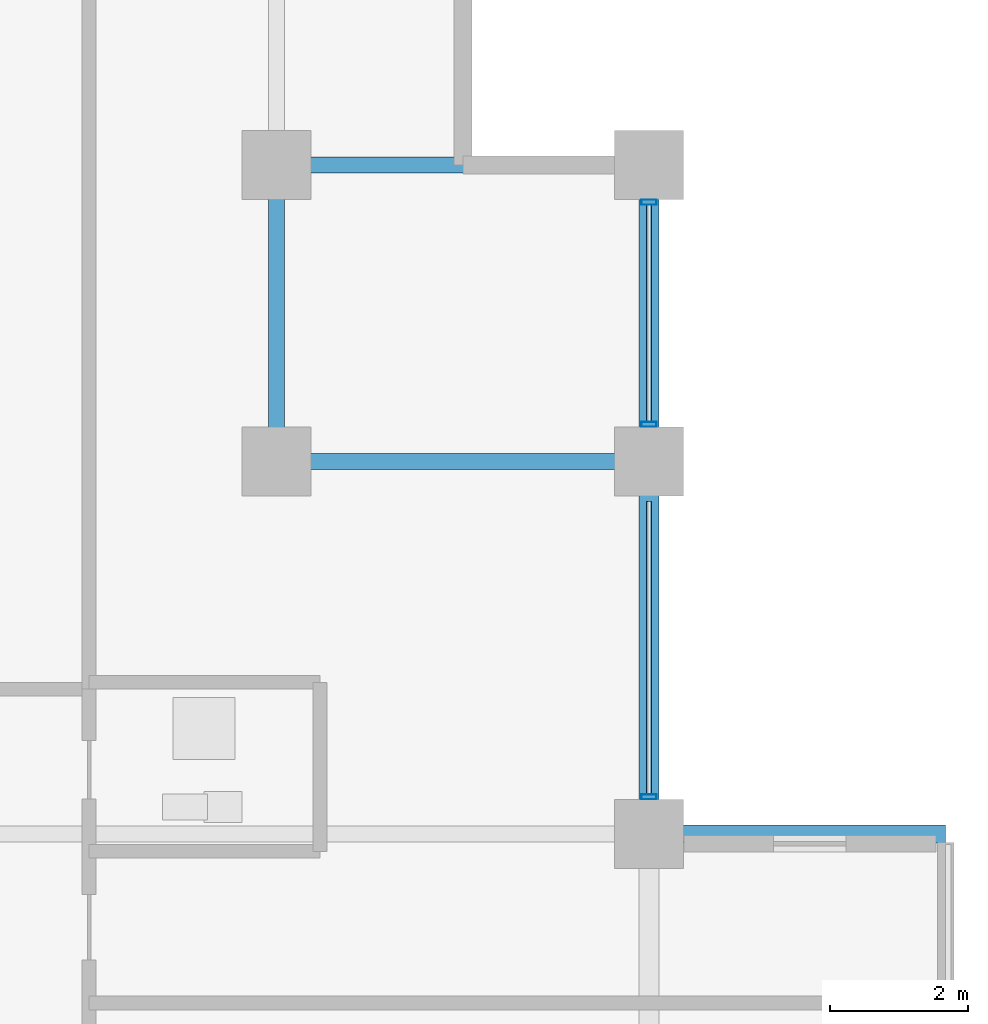
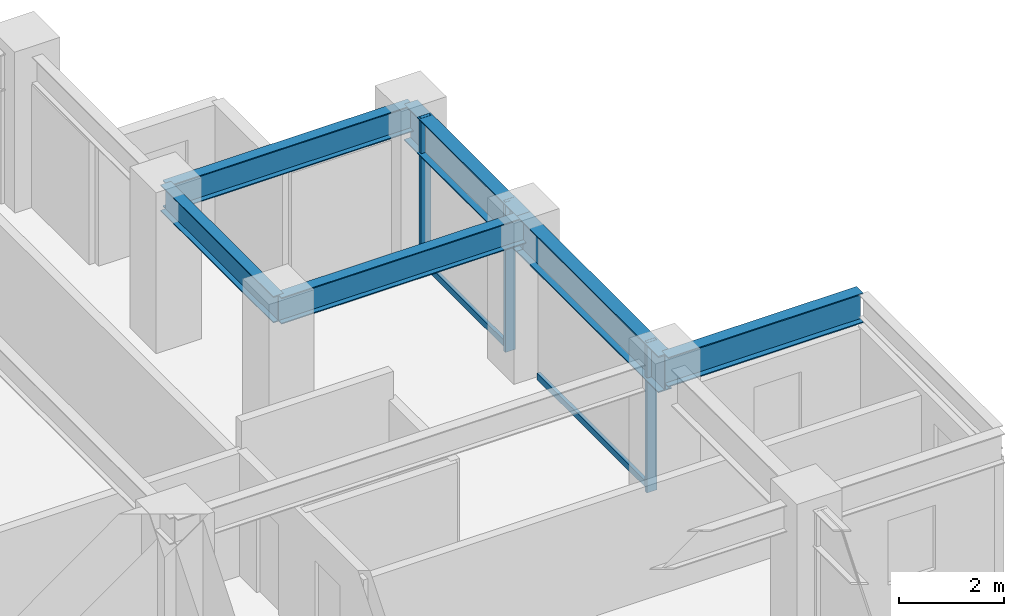
# One storey, part 17 of 29: 6 beams, 5 members, 1 element without a shape of its own.
"""IFC4 building model written with IfcOpenShell, lengths in metres."""

from ifc_helpers import new_model, si_unit, direction, frame, origin, origin_2d, place, context, subcontext, project, spatial, hollow_rectangle, i_section, extrude, material, layer, layer_set, material_profile, profile_set, type_object, element, aggregate, save


model = new_model("IFC4")

# Units and contexts
model_context = context("Model", 3, precision=1e-05, world=origin(), true_north=direction((0.0, 1.0)))
body_context = subcontext(model_context, "Body", "Model", "MODEL_VIEW")
ifc_project = project(units=[si_unit("LENGTHUNIT", "METRE"), si_unit("AREAUNIT", "SQUARE_METRE"), si_unit("VOLUMEUNIT", "CUBIC_METRE"), si_unit("PLANEANGLEUNIT", "RADIAN"), si_unit("MASSUNIT", "GRAM", prefix="KILO")], contexts=[model_context])

# Site, building, storey
site_placement = place(None, origin())
site = spatial("IfcSite", under=ifc_project, at=site_placement, CompositionType="ELEMENT")
building_placement = place(site_placement, origin())
building = spatial("IfcBuilding", under=site, at=building_placement, Name="Surkhivell Harbour Commons", CompositionType="ELEMENT")
storey_placement = place(building_placement, frame((0.0, 0.0, 158.25)))
storey = spatial("IfcBuildingStorey", under=building, at=storey_placement, Name="L41", CompositionType="ELEMENT", Elevation=158.25)

# Beams
ifc_material_1 = material(Name="Steel S460", Category="steel")
ifc_material_profile_1 = material_profile(ifc_material_1, i_section(OverallWidth=0.256103515625, OverallDepth=0.693115234375, WebThickness=0.014404296875, FlangeThickness=0.023681640625, at=origin_2d()), Name="UB686x254x170")
ifc_profile_set_1 = profile_set([ifc_material_profile_1], Name="Steel S460")
beam_type_1 = type_object("IfcBeamType", Name="BM-CNT-686", PredefinedType="BEAM", material=ifc_profile_set_1)
beam_1_placement = place(storey_placement, frame((21.60009765625, 10.800048828125, 3.153564453125), z_axis=(1.0, 0.0, 0.0), x_axis=(0.0, 1.0, 0.0)))
element("IfcBeam", 1, at=beam_1_placement, inside=storey, type_object=beam_type_1, Name="L41 Box Cantilever Outrigger (21.6,10.8)", PredefinedType="BEAM", context=body_context, shape_type="SweptSolid", body=[
    extrude(i_section(OverallWidth=0.256103515625, OverallDepth=0.693115234375, WebThickness=0.014404296875, FlangeThickness=0.023681640625, at=origin_2d()), origin(), (0.0, 0.0, 1.0), 4.2998046875),
])
ifc_material_2 = material(Name="Steel S355", Category="steel")
ifc_material_profile_2 = material_profile(ifc_material_2, i_section(OverallWidth=0.22998046875, OverallDepth=0.616943359375, WebThickness=0.01318359375, FlangeThickness=0.022216796875, at=origin_2d()), Name="UB610x229x140")
ifc_profile_set_2 = profile_set([ifc_material_profile_2], Name="Steel S355")
beam_type_2 = type_object("IfcBeamType", Name="BM-GRD-610B", PredefinedType="BEAM", material=ifc_profile_set_2)
beam_2_placement = place(storey_placement, frame((16.199951171875, 16.199951171875, 3.19140625), z_axis=(0.0, 1.0, 0.0), x_axis=(-1.0, 0.0, 0.0)))
element("IfcBeam", 2, at=beam_2_placement, inside=storey, type_object=beam_type_2, Name="L41 Floor Girder (16.2,16.2)", PredefinedType="BEAM", context=body_context, shape_type="SweptSolid", body=[
    extrude(i_section(OverallWidth=0.22998046875, OverallDepth=0.616943359375, WebThickness=0.01318359375, FlangeThickness=0.022216796875, at=origin_2d()), origin(), (0.0, 0.0, 1.0), 4.300048828125),
])
for number, where, z_axis, x_axis, name in (
    (3, (16.199951171875, 16.199951171875, 3.19140625), (1.0, 0.0, 0.0), (0.0, 1.0, 0.0), "L41 Floor Girder (16.2,16.2)"),
    (4, (16.199951171875, 20.5, 3.19140625), (1.0, 0.0, 0.0), (0.0, 1.0, 0.0), "L41 Floor Girder (16.2,20.5)"),
):
    element("IfcBeam", number, at=place(storey_placement, frame(where, z_axis=z_axis, x_axis=x_axis)), inside=storey, type_object=beam_type_2, Name=name, PredefinedType="BEAM", context=body_context, shape_type="SweptSolid", body=[
        extrude(i_section(OverallWidth=0.22998046875, OverallDepth=0.616943359375, WebThickness=0.01318359375, FlangeThickness=0.022216796875, at=origin_2d()), origin(), (0.0, 0.0, 1.0), 5.400146484375),
    ])
ifc_material_profile_3 = material_profile(ifc_material_1, i_section(OverallWidth=0.2939453125, OverallDepth=0.85107421875, WebThickness=0.01611328125, FlangeThickness=0.02685546875, at=origin_2d()), Name="UB838x292x226")
ifc_profile_set_3 = profile_set([ifc_material_profile_3], Name="Steel S460")
beam_type_3 = type_object("IfcBeamType", Name="BM-SPN-838", PredefinedType="SPANDREL", material=ifc_profile_set_3)
beam_3_placement = place(storey_placement, frame((21.60009765625, 10.800048828125, 3.074462890625), z_axis=(0.0, 1.0, 0.0), x_axis=(-1.0, 0.0, 0.0)))
element("IfcBeam", 5, at=beam_3_placement, inside=storey, type_object=beam_type_3, Name="L41 Tube Spandrel (21.6,10.8)", PredefinedType="SPANDREL", context=body_context, shape_type="SweptSolid", body=[
    extrude(i_section(OverallWidth=0.2939453125, OverallDepth=0.85107421875, WebThickness=0.01611328125, FlangeThickness=0.02685546875, at=origin_2d()), origin(), (0.0, 0.0, 1.0), 5.39990234375),
])
beam_4_placement = place(storey_placement, frame((21.60009765625, 16.199951171875, 3.074462890625), z_axis=(0.0, 1.0, 0.0), x_axis=(-1.0, 0.0, 0.0)))
element("IfcBeam", 6, at=beam_4_placement, inside=storey, type_object=beam_type_3, Name="L41 Tube Spandrel (21.6,16.2)", PredefinedType="SPANDREL", context=body_context, shape_type="SweptSolid", body=[
    extrude(i_section(OverallWidth=0.2939453125, OverallDepth=0.85107421875, WebThickness=0.01611328125, FlangeThickness=0.02685546875, at=origin_2d()), origin(), (0.0, 0.0, 1.0), 4.300048828125),
])

# Curtain wall, members
ifc_material_3 = material(Name="Anodised pale-metal aluminium and insulated glazing", Category="aluminium")
ifc_layer = layer(ifc_material_3, 0.205078125)
ifc_layer_set = layer_set([ifc_layer], Name="Anodised pale-metal aluminium and insulated glazing")
curtain_wall_type = type_object("IfcCurtainWallType", Name="CW-SYS-Z2", PredefinedType="NOTDEFINED", material=ifc_layer_set)
curtain_wall_placement = place(storey_placement, origin())
curtain_wall = element("IfcCurtainWall", 7, at=curtain_wall_placement, inside=storey, type_object=curtain_wall_type, Name="L41 Curtain Wall CW-L41-E02R2", PredefinedType="NOTDEFINED")
ifc_material_4 = material(Name="Anodised pale-metal aluminium alloy 6063-T6", Category="aluminium")
ifc_material_profile_4 = material_profile(ifc_material_4, hollow_rectangle(XDim=0.074951171875, YDim=0.219970703125, WallThickness=0.00390625, at=origin_2d()), Name="ALU-MULL-75x220")
ifc_profile_set_4 = profile_set([ifc_material_profile_4], Name="Anodised pale-metal aluminium alloy 6063-T6")
member_type_1 = type_object("IfcMemberType", Name="CWM-220", PredefinedType="MULLION", material=ifc_profile_set_4)
member_1_placement = place(storey_placement, frame((21.60009765625, 11.339599609375, 0.0), z_axis=(0.0, 0.0, 1.0), x_axis=(0.0, 1.0, 0.0)))
member_1 = element("IfcMember", 8, at=member_1_placement, type_object=member_type_1, Name="CW-Z2 mullion 1", PredefinedType="MULLION", context=body_context, shape_type="SweptSolid", body=[
    extrude(hollow_rectangle(XDim=0.074951171875, YDim=0.219970703125, WallThickness=0.00390625, at=origin_2d()), origin(), (0.0, 0.0, 1.0), 3.5),
])
member_2_placement = place(storey_placement, frame((21.60009765625, 16.739501953125, 0.0), z_axis=(0.0, 0.0, 1.0), x_axis=(0.0, 1.0, 0.0)))
member_2 = element("IfcMember", 9, at=member_2_placement, type_object=member_type_1, Name="CW-Z2 mullion 2", PredefinedType="MULLION", context=body_context, shape_type="SweptSolid", body=[
    extrude(hollow_rectangle(XDim=0.074951171875, YDim=0.219970703125, WallThickness=0.00390625, at=origin_2d()), origin(), (0.0, 0.0, 1.0), 3.5),
])
member_3_placement = place(storey_placement, frame((21.60009765625, 19.96044921875, 0.0), z_axis=(0.0, 0.0, 1.0), x_axis=(0.0, 1.0, 0.0)))
member_3 = element("IfcMember", 10, at=member_3_placement, type_object=member_type_1, Name="CW-Z2 mullion 3", PredefinedType="MULLION", context=body_context, shape_type="SweptSolid", body=[
    extrude(hollow_rectangle(XDim=0.074951171875, YDim=0.219970703125, WallThickness=0.00390625, at=origin_2d()), origin(), (0.0, 0.0, 1.0), 3.5),
])
ifc_material_profile_5 = material_profile(ifc_material_4, hollow_rectangle(XDim=0.074951171875, YDim=0.14990234375, WallThickness=0.00341796875, at=origin_2d()), Name="ALU-TRAN-75x150")
ifc_profile_set_5 = profile_set([ifc_material_profile_5], Name="Anodised pale-metal aluminium alloy 6063-T6")
member_type_2 = type_object("IfcMemberType", Name="CWT-150", PredefinedType="USERDEFINED", material=ifc_profile_set_5)
member_4_placement = place(storey_placement, frame((21.60009765625, 11.376953125, 0.074951171875), z_axis=(0.0, 1.0, 0.0), x_axis=(-1.0, 0.0, 0.0)))
member_4 = element("IfcMember", 11, at=member_4_placement, type_object=member_type_2, Name="CW-Z2 transom 1.1", ObjectType="TRANSOM", PredefinedType="USERDEFINED", context=body_context, shape_type="SweptSolid", body=[
    extrude(hollow_rectangle(XDim=0.074951171875, YDim=0.14990234375, WallThickness=0.00341796875, at=origin_2d()), origin(), (0.0, 0.0, 1.0), 4.24609375),
])
member_5_placement = place(storey_placement, frame((21.60009765625, 16.777099609375, 0.074951171875), z_axis=(0.0, 1.0, 0.0), x_axis=(-1.0, 0.0, 0.0)))
member_5 = element("IfcMember", 12, at=member_5_placement, type_object=member_type_2, Name="CW-Z2 transom 2.1", ObjectType="TRANSOM", PredefinedType="USERDEFINED", context=body_context, shape_type="SweptSolid", body=[
    extrude(hollow_rectangle(XDim=0.074951171875, YDim=0.14990234375, WallThickness=0.00341796875, at=origin_2d()), origin(), (0.0, 0.0, 1.0), 3.14599609375),
])
aggregate(curtain_wall, [member_1, member_4, member_2, member_3, member_5])

save(model, "model.ifc")
